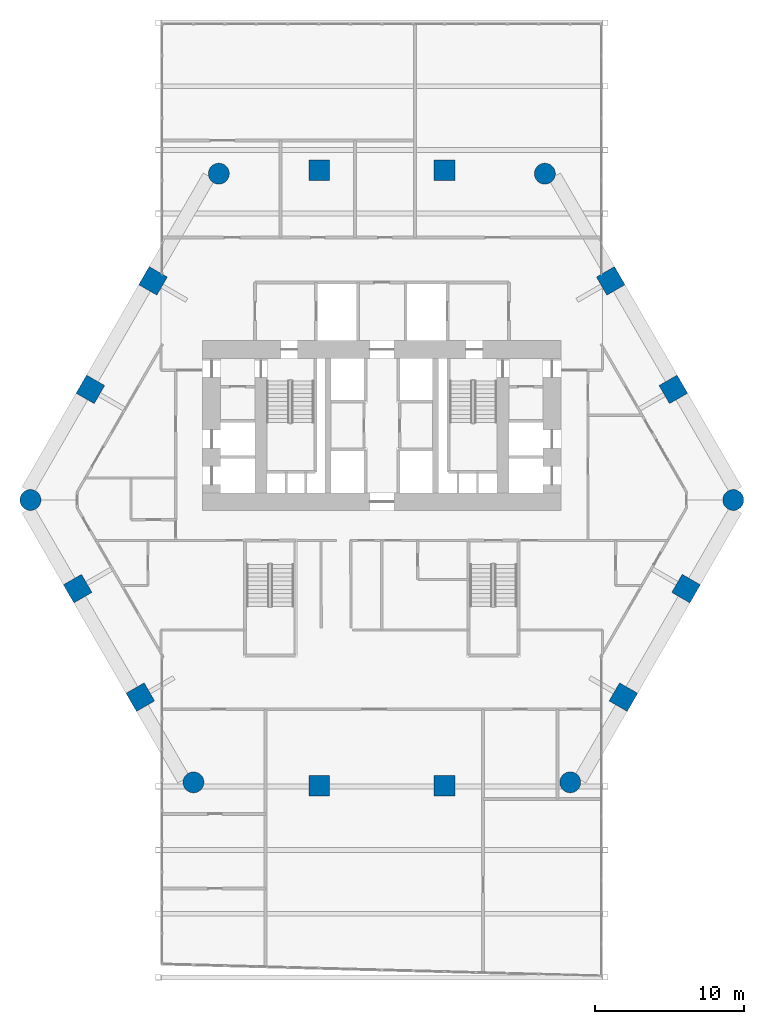
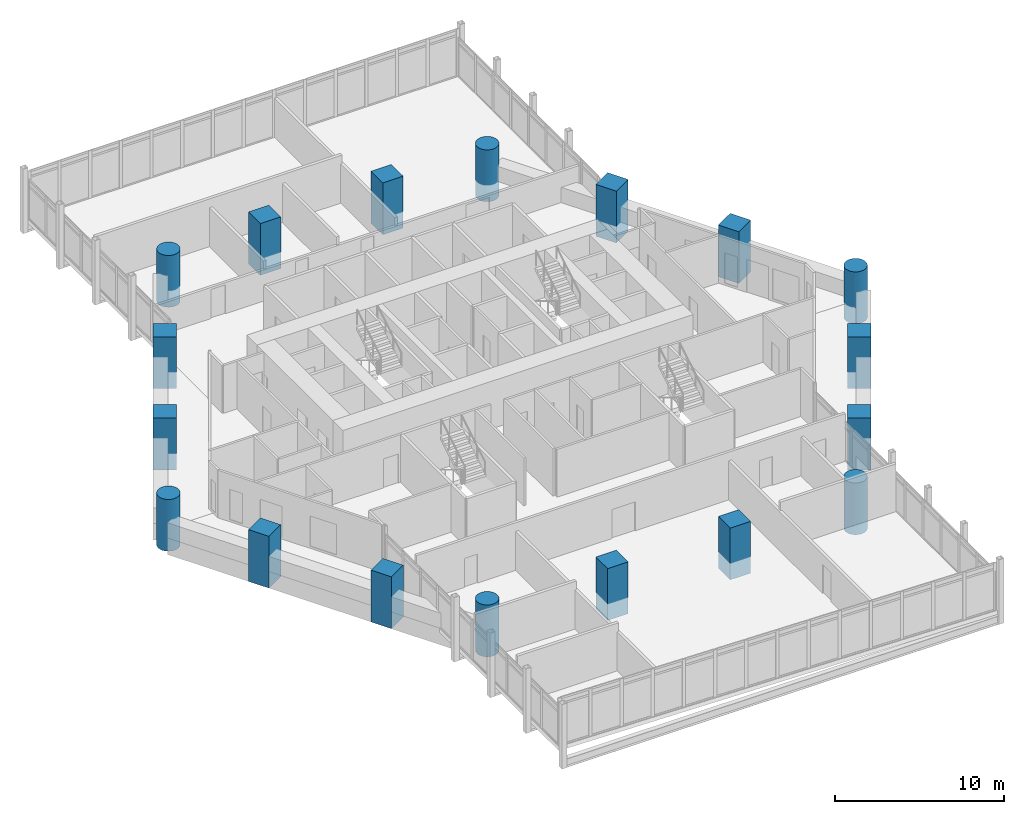
# One storey, part 1 of 28: 18 columns.
"""IFC4 building model written with IfcOpenShell, lengths in metres."""

from ifc_helpers import new_model, si_unit, direction, frame, origin, origin_2d, place, context, subcontext, project, spatial, rectangle, circle, extrude, material, material_profile, profile_set, type_object, element, save


model = new_model("IFC4")

# Units and contexts
model_context = context("Model", 3, precision=1e-05, world=origin(), true_north=direction((0.0, 1.0)))
body_context = subcontext(model_context, "Body", "Model", "MODEL_VIEW")
ifc_project = project(units=[si_unit("LENGTHUNIT", "METRE"), si_unit("AREAUNIT", "SQUARE_METRE"), si_unit("VOLUMEUNIT", "CUBIC_METRE"), si_unit("PLANEANGLEUNIT", "RADIAN"), si_unit("MASSUNIT", "GRAM", prefix="KILO")], contexts=[model_context])

# Site, building, storey
site_placement = place(None, origin())
site = spatial("IfcSite", under=ifc_project, at=site_placement, CompositionType="ELEMENT")
building_placement = place(site_placement, origin())
building = spatial("IfcBuilding", under=site, at=building_placement, Name="Ostrander Bayou Hotel Tower", CompositionType="ELEMENT")
storey_placement = place(building_placement, frame((0.0, 0.0, 76.75)))
storey = spatial("IfcBuildingStorey", under=building, at=storey_placement, Name="L19", CompositionType="ELEMENT", Elevation=76.75)

# Columns
ifc_material_1 = material(Name="Concrete f'c 70 MPa", Category="concrete")
ifc_material_profile_1 = material_profile(ifc_material_1, circle(Radius=0.699951171875, at=origin_2d()))
ifc_profile_set_1 = profile_set([ifc_material_profile_1], Name="Concrete f'c 70 MPa")
column_type_1 = type_object("IfcColumnType", Name="C1 round column 1400 mm f'c 70 MPa", PredefinedType="COLUMN", material=ifc_profile_set_1)
for number, where, z_axis, x_axis, name in (
    (1, (-10.916748046875, 20.872314453125, -1.199951171875), (0.0, 0.0, 1.0), (1.0, 0.0, 0.0), "C1 L19 K0"),
    (2, (-23.5341796875, -0.98193359375, -1.199951171875), (0.0, 0.0, 1.0), (1.0, 0.0, 0.0), "C1 L19 K1"),
    (3, (-12.617431640625, -19.890380859375, -1.199951171875), (0.0, 0.0, 1.0), (1.0, 0.0, 0.0), "C1 L19 K2"),
    (4, (12.617431640625, -19.890380859375, -1.199951171875), (0.0, 0.0, 1.0), (1.0, 0.0, 0.0), "C1 L19 K3"),
    (5, (23.5341796875, -0.98193359375, -1.199951171875), (0.0, 0.0, 1.0), (1.0, 0.0, 0.0), "C1 L19 K4"),
    (6, (10.916748046875, 20.872314453125, -1.199951171875), (0.0, 0.0, 1.0), (1.0, 0.0, 0.0), "C1 L19 K5"),
):
    element("IfcColumn", number, at=place(storey_placement, frame(where, z_axis=z_axis, x_axis=x_axis)), inside=storey, type_object=column_type_1, Name=name, PredefinedType="COLUMN", context=body_context, shape_type="SweptSolid", body=[
        extrude(circle(Radius=0.699951171875, at=origin_2d()), origin(), (0.0, 0.0, 1.0), 3.75),
    ])
ifc_material_2 = material(Name="Concrete f'c 70 MPa", Category="concrete")
ifc_material_profile_2 = material_profile(ifc_material_2, rectangle(XDim=1.39990234375, YDim=1.39990234375, at=origin_2d()))
ifc_profile_set_2 = profile_set([ifc_material_profile_2], Name="Concrete f'c 70 MPa")
column_type_2 = type_object("IfcColumnType", Name="C2 square column 1400 x 1400 mm f'c 70 MPa", PredefinedType="COLUMN", material=ifc_profile_set_2)
for number, where, z_axis, x_axis, name in (
    (7, (4.1953125, 21.10009765625, -1.199951171875), (0.0, 0.0, 1.0), (1.0, 0.0, 0.0), "C2 L19 N1"),
    (8, (-4.1953125, 21.10009765625, -1.199951171875), (0.0, 0.0, 1.0), (1.0, 0.0, 0.0), "C2 L19 N2"),
    (9, (-15.3251953125, 13.6923828125, -1.199951171875), (0.0, 0.0, 1.0), (0.5, 0.866025403784, 0.0), "C2 L19 NW1"),
    (10, (-19.5205078125, 6.42578125, -1.199951171875), (0.0, 0.0, 1.0), (0.5, 0.866025403784, 0.0), "C2 L19 NW2"),
    (11, (-20.370849609375, -6.916748046875, -1.199951171875), (0.0, 0.0, 1.0), (-0.5, 0.866025403784, 0.0), "C2 L19 SW1"),
    (12, (-16.17529296875, -14.183349609375, -1.199951171875), (0.0, 0.0, 1.0), (-0.5, 0.866025403784, 0.0), "C2 L19 SW2"),
    (13, (-4.1953125, -20.1181640625, -1.199951171875), (0.0, 0.0, 1.0), (-1.0, 0.0, 0.0), "C2 L19 S1"),
    (14, (4.1953125, -20.1181640625, -1.199951171875), (0.0, 0.0, 1.0), (-1.0, 0.0, 0.0), "C2 L19 S2"),
    (15, (16.17529296875, -14.183349609375, -1.199951171875), (0.0, 0.0, 1.0), (-0.5, -0.866025403784, 0.0), "C2 L19 SE1"),
    (16, (20.370849609375, -6.916748046875, -1.199951171875), (0.0, 0.0, 1.0), (-0.5, -0.866025403784, 0.0), "C2 L19 SE2"),
    (17, (19.5205078125, 6.42578125, -1.199951171875), (0.0, 0.0, 1.0), (0.5, -0.866025403784, 0.0), "C2 L19 NE1"),
    (18, (15.3251953125, 13.6923828125, -1.199951171875), (0.0, 0.0, 1.0), (0.5, -0.866025403784, 0.0), "C2 L19 NE2"),
):
    element("IfcColumn", number, at=place(storey_placement, frame(where, z_axis=z_axis, x_axis=x_axis)), inside=storey, type_object=column_type_2, Name=name, PredefinedType="COLUMN", context=body_context, shape_type="SweptSolid", body=[
        extrude(rectangle(XDim=1.39990234375, YDim=1.39990234375, at=origin_2d()), origin(), (0.0, 0.0, 1.0), 3.75),
    ])

save(model, "model.ifc")
